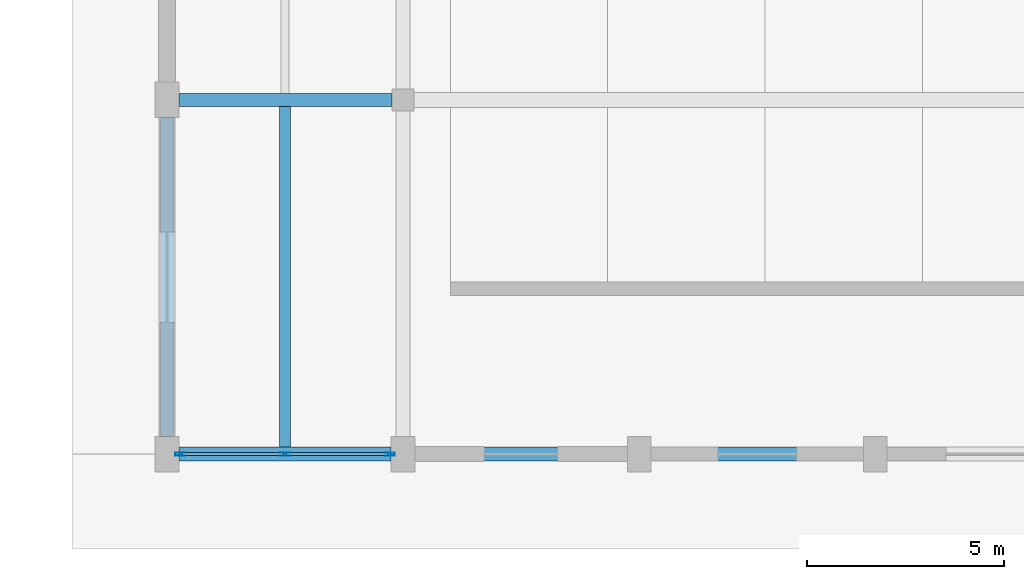
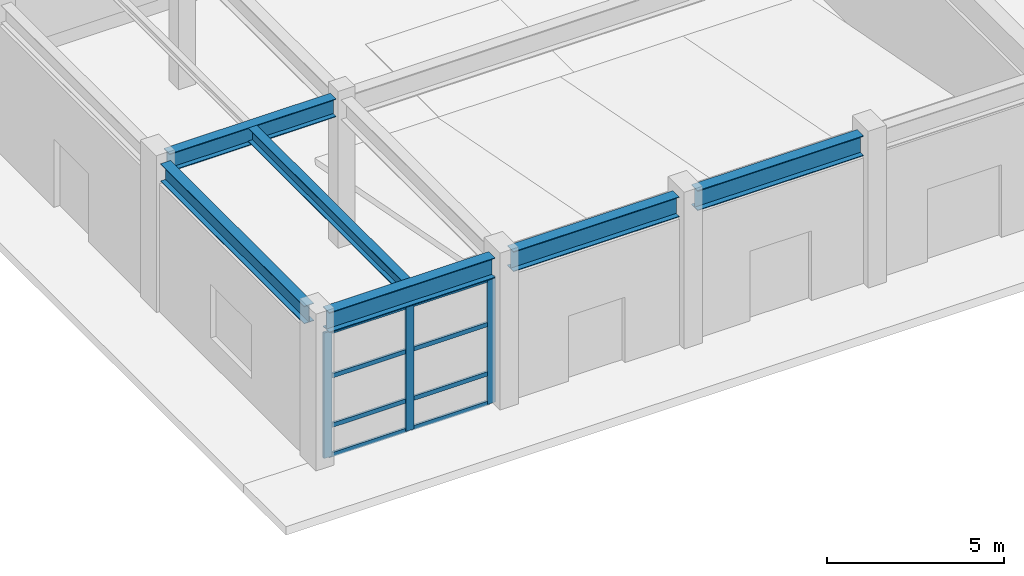
# One storey, part 7 of 91: 11 members, 6 beams, 1 element without a shape of its own.
"""IFC4 building model written with IfcOpenShell, lengths in metres."""

from ifc_helpers import new_model, si_unit, direction, frame, origin, origin_2d, place, context, subcontext, project, spatial, hollow_rectangle, i_section, extrude, material, layer, layer_set, material_profile, profile_set, type_object, element, aggregate, save


model = new_model("IFC4")

# Units and contexts
model_context = context("Model", 3, precision=1e-05, world=origin(), true_north=direction((0.0, 1.0)))
body_context = subcontext(model_context, "Body", "Model", "MODEL_VIEW")
ifc_project = project(units=[si_unit("LENGTHUNIT", "METRE"), si_unit("AREAUNIT", "SQUARE_METRE"), si_unit("VOLUMEUNIT", "CUBIC_METRE"), si_unit("PLANEANGLEUNIT", "RADIAN"), si_unit("MASSUNIT", "GRAM", prefix="KILO")], contexts=[model_context])

# Site, building, storey
site_placement = place(None, origin())
site = spatial("IfcSite", under=ifc_project, at=site_placement, CompositionType="ELEMENT")
building_placement = place(site_placement, origin())
building = spatial("IfcBuilding", under=site, at=building_placement, Name="Vaelkrest Opera House", CompositionType="ELEMENT")
storey_placement = place(building_placement, origin())
storey = spatial("IfcBuildingStorey", under=building, at=storey_placement, Name="L00", CompositionType="ELEMENT", Elevation=0.0)

# Beam
ifc_material_1 = material(Name="Steel A992 Gr50", Category="steel")
ifc_material_profile_1 = material_profile(ifc_material_1, i_section(OverallWidth=0.326904296875, OverallDepth=0.6220703125, WebThickness=0.015380859375, FlangeThickness=0.0244140625, at=origin_2d()), Name="W24X131")
ifc_profile_set_1 = profile_set([ifc_material_profile_1], Name="Steel A992 Gr50")
beam_type_1 = type_object("IfcBeamType", Name="B19", PredefinedType="BEAM", material=ifc_profile_set_1)
beam_1_placement = place(storey_placement, frame((-75.300048828125, -7.800048828125, 4.76904296875), z_axis=(1.0, 0.0, 0.0), x_axis=(0.0, 1.0, 0.0)))
element("IfcBeam", 1, at=beam_1_placement, inside=storey, type_object=beam_type_1, Name="Beam BM-V3-L00-1387", PredefinedType="BEAM", context=body_context, shape_type="SweptSolid", body=[
    extrude(i_section(OverallWidth=0.326904296875, OverallDepth=0.6220703125, WebThickness=0.015380859375, FlangeThickness=0.0244140625, at=origin_2d()), origin(), (0.0, 0.0, 1.0), 5.425048828125),
])

# Curtain wall, members
ifc_material_2 = material(Name="Dark bronze anodized aluminium", Category="aluminium")
ifc_layer = layer(ifc_material_2, 0.25)
ifc_layer_set = layer_set([ifc_layer], Name="Dark bronze anodized aluminium")
curtain_wall_type = type_object("IfcCurtainWallType", Name="CW08", PredefinedType="NOTDEFINED", material=ifc_layer_set)
curtain_wall_placement = place(storey_placement, origin())
curtain_wall = element("IfcCurtainWall", 2, at=curtain_wall_placement, inside=storey, type_object=curtain_wall_type, Name="Curtain wall CW-L00-089", PredefinedType="NOTDEFINED")
ifc_material_profile_2 = material_profile(ifc_material_2, hollow_rectangle(XDim=0.080078125, YDim=0.260009765625, WallThickness=0.0048828125, at=origin_2d()), Name="CWM80X260")
ifc_profile_set_2 = profile_set([ifc_material_profile_2], Name="Dark bronze anodized aluminium")
member_type_1 = type_object("IfcMemberType", Name="CWM04", PredefinedType="MULLION", material=ifc_profile_set_2)
member_1_placement = place(storey_placement, frame((-69.93798828125, -16.800048828125, 0.0), z_axis=(0.0, 0.0, 1.0), x_axis=(0.0, -1.0, 0.0)))
member_1 = element("IfcMember", 3, at=member_1_placement, type_object=member_type_1, Name="CW08 mullion 1", PredefinedType="MULLION", context=body_context, shape_type="SweptSolid", body=[
    extrude(hollow_rectangle(XDim=0.080078125, YDim=0.260009765625, WallThickness=0.0048828125, at=origin_2d()), origin(), (0.0, 0.0, 1.0), 4.320068359375),
])
member_2_placement = place(storey_placement, frame((-72.60009765625, -16.800048828125, 0.0), z_axis=(0.0, 0.0, 1.0), x_axis=(0.0, -1.0, 0.0)))
member_2 = element("IfcMember", 4, at=member_2_placement, type_object=member_type_1, Name="CW08 mullion 2", PredefinedType="MULLION", context=body_context, shape_type="SweptSolid", body=[
    extrude(hollow_rectangle(XDim=0.080078125, YDim=0.260009765625, WallThickness=0.0048828125, at=origin_2d()), origin(), (0.0, 0.0, 1.0), 4.320068359375),
])
member_3_placement = place(storey_placement, frame((-75.261962890625, -16.800048828125, 0.0), z_axis=(0.0, 0.0, 1.0), x_axis=(0.0, -1.0, 0.0)))
member_3 = element("IfcMember", 5, at=member_3_placement, type_object=member_type_1, Name="CW08 mullion 3", PredefinedType="MULLION", context=body_context, shape_type="SweptSolid", body=[
    extrude(hollow_rectangle(XDim=0.080078125, YDim=0.260009765625, WallThickness=0.0048828125, at=origin_2d()), origin(), (0.0, 0.0, 1.0), 4.320068359375),
])
ifc_material_profile_3 = material_profile(ifc_material_2, hollow_rectangle(XDim=0.070068359375, YDim=0.14990234375, WallThickness=0.004150390625, at=origin_2d()), Name="CWT70X150")
ifc_profile_set_3 = profile_set([ifc_material_profile_3], Name="Dark bronze anodized aluminium")
member_type_2 = type_object("IfcMemberType", Name="CWT02", PredefinedType="USERDEFINED", material=ifc_profile_set_3)
member_4_placement = place(storey_placement, frame((-69.97802734375, -16.800048828125, 0.034912109375), z_axis=(-1.0, 0.0, 0.0), x_axis=(0.0, -1.0, 0.0)))
member_4 = element("IfcMember", 6, at=member_4_placement, type_object=member_type_2, Name="CW08 transom 1.1", ObjectType="TRANSOM", PredefinedType="USERDEFINED", context=body_context, shape_type="SweptSolid", body=[
    extrude(hollow_rectangle(XDim=0.070068359375, YDim=0.14990234375, WallThickness=0.004150390625, at=origin_2d()), origin(), (0.0, 0.0, 1.0), 2.58203125),
])
member_5_placement = place(storey_placement, frame((-69.97802734375, -16.800048828125, 1.050048828125), z_axis=(-1.0, 0.0, 0.0), x_axis=(0.0, -1.0, 0.0)))
member_5 = element("IfcMember", 7, at=member_5_placement, type_object=member_type_2, Name="CW08 transom 1.2", ObjectType="TRANSOM", PredefinedType="USERDEFINED", context=body_context, shape_type="SweptSolid", body=[
    extrude(hollow_rectangle(XDim=0.070068359375, YDim=0.14990234375, WallThickness=0.004150390625, at=origin_2d()), origin(), (0.0, 0.0, 1.0), 2.58203125),
])
member_6_placement = place(storey_placement, frame((-69.97802734375, -16.800048828125, 2.75), z_axis=(-1.0, 0.0, 0.0), x_axis=(0.0, -1.0, 0.0)))
member_6 = element("IfcMember", 8, at=member_6_placement, type_object=member_type_2, Name="CW08 transom 1.3", ObjectType="TRANSOM", PredefinedType="USERDEFINED", context=body_context, shape_type="SweptSolid", body=[
    extrude(hollow_rectangle(XDim=0.070068359375, YDim=0.14990234375, WallThickness=0.004150390625, at=origin_2d()), origin(), (0.0, 0.0, 1.0), 2.58203125),
])
member_7_placement = place(storey_placement, frame((-69.97802734375, -16.800048828125, 4.284912109375), z_axis=(-1.0, 0.0, 0.0), x_axis=(0.0, -1.0, 0.0)))
member_7 = element("IfcMember", 9, at=member_7_placement, type_object=member_type_2, Name="CW08 transom 1.4", ObjectType="TRANSOM", PredefinedType="USERDEFINED", context=body_context, shape_type="SweptSolid", body=[
    extrude(hollow_rectangle(XDim=0.070068359375, YDim=0.14990234375, WallThickness=0.004150390625, at=origin_2d()), origin(), (0.0, 0.0, 1.0), 2.58203125),
])
member_8_placement = place(storey_placement, frame((-72.639892578125, -16.800048828125, 0.034912109375), z_axis=(-1.0, 0.0, 0.0), x_axis=(0.0, -1.0, 0.0)))
member_8 = element("IfcMember", 10, at=member_8_placement, type_object=member_type_2, Name="CW08 transom 2.1", ObjectType="TRANSOM", PredefinedType="USERDEFINED", context=body_context, shape_type="SweptSolid", body=[
    extrude(hollow_rectangle(XDim=0.070068359375, YDim=0.14990234375, WallThickness=0.004150390625, at=origin_2d()), origin(), (0.0, 0.0, 1.0), 2.58203125),
])
member_9_placement = place(storey_placement, frame((-72.639892578125, -16.800048828125, 1.050048828125), z_axis=(-1.0, 0.0, 0.0), x_axis=(0.0, -1.0, 0.0)))
member_9 = element("IfcMember", 11, at=member_9_placement, type_object=member_type_2, Name="CW08 transom 2.2", ObjectType="TRANSOM", PredefinedType="USERDEFINED", context=body_context, shape_type="SweptSolid", body=[
    extrude(hollow_rectangle(XDim=0.070068359375, YDim=0.14990234375, WallThickness=0.004150390625, at=origin_2d()), origin(), (0.0, 0.0, 1.0), 2.58203125),
])
member_10_placement = place(storey_placement, frame((-72.639892578125, -16.800048828125, 2.75), z_axis=(-1.0, 0.0, 0.0), x_axis=(0.0, -1.0, 0.0)))
member_10 = element("IfcMember", 12, at=member_10_placement, type_object=member_type_2, Name="CW08 transom 2.3", ObjectType="TRANSOM", PredefinedType="USERDEFINED", context=body_context, shape_type="SweptSolid", body=[
    extrude(hollow_rectangle(XDim=0.070068359375, YDim=0.14990234375, WallThickness=0.004150390625, at=origin_2d()), origin(), (0.0, 0.0, 1.0), 2.58203125),
])
member_11_placement = place(storey_placement, frame((-72.639892578125, -16.800048828125, 4.284912109375), z_axis=(-1.0, 0.0, 0.0), x_axis=(0.0, -1.0, 0.0)))
member_11 = element("IfcMember", 13, at=member_11_placement, type_object=member_type_2, Name="CW08 transom 2.4", ObjectType="TRANSOM", PredefinedType="USERDEFINED", context=body_context, shape_type="SweptSolid", body=[
    extrude(hollow_rectangle(XDim=0.070068359375, YDim=0.14990234375, WallThickness=0.004150390625, at=origin_2d()), origin(), (0.0, 0.0, 1.0), 2.58203125),
])
aggregate(curtain_wall, [member_1, member_2, member_3, member_4, member_5, member_6, member_7, member_8, member_9, member_10, member_11])

# Beams
ifc_material_profile_4 = material_profile(ifc_material_1, i_section(OverallWidth=0.282958984375, OverallDepth=0.471923828125, WebThickness=0.013671875, FlangeThickness=0.022216796875, at=origin_2d()), Name="W18X97")
ifc_profile_set_4 = profile_set([ifc_material_profile_4], Name="Steel A992 Gr50")
beam_type_2 = type_object("IfcBeamType", Name="J10", PredefinedType="JOIST", material=ifc_profile_set_4)
beam_2_placement = place(storey_placement, frame((-72.60009765625, -16.62255859375, 4.843994140625), z_axis=(0.0, 1.0, 0.0), x_axis=(-1.0, 0.0, 0.0)))
element("IfcBeam", 14, at=beam_2_placement, inside=storey, type_object=beam_type_2, Name="Floor joist JST-V3-L00-1480", PredefinedType="JOIST", context=body_context, shape_type="SweptSolid", body=[
    extrude(i_section(OverallWidth=0.282958984375, OverallDepth=0.471923828125, WebThickness=0.013671875, FlangeThickness=0.022216796875, at=origin_2d()), origin(), (0.0, 0.0, 1.0), 8.6591796875),
])
ifc_material_profile_5 = material_profile(ifc_material_1, i_section(OverallWidth=0.323974609375, OverallDepth=0.611083984375, WebThickness=0.0126953125, FlangeThickness=0.01904296875, at=origin_2d()), Name="W24X104")
ifc_profile_set_5 = profile_set([ifc_material_profile_5], Name="Steel A992 Gr50")
beam_type_3 = type_object("IfcBeamType", Name="SP01", PredefinedType="SPANDREL", material=ifc_profile_set_5)
beam_3_placement = place(storey_placement, frame((-75.60009765625, -16.35009765625, 4.7744140625), z_axis=(0.0, 1.0, 0.0), x_axis=(-1.0, 0.0, 0.0)))
element("IfcBeam", 15, at=beam_3_placement, inside=storey, type_object=beam_type_3, Name="Beam BM-V3-L00-1430", PredefinedType="SPANDREL", context=body_context, shape_type="SweptSolid", body=[
    extrude(i_section(OverallWidth=0.323974609375, OverallDepth=0.611083984375, WebThickness=0.0126953125, FlangeThickness=0.01904296875, at=origin_2d()), origin(), (0.0, 0.0, 1.0), 8.10009765625),
])
ifc_material_profile_6 = material_profile(ifc_material_1, i_section(OverallWidth=0.35498046875, OverallDepth=0.695068359375, WebThickness=0.015380859375, FlangeThickness=0.02490234375, at=origin_2d()), Name="W27X146")
ifc_profile_set_6 = profile_set([ifc_material_profile_6], Name="Steel A992 Gr50")
beam_type_4 = type_object("IfcBeamType", Name="SP02", PredefinedType="SPANDREL", material=ifc_profile_set_6)
for number, where, z_axis, x_axis, name in (
    (16, (-75.300048828125, -16.800048828125, 4.732421875), (1.0, 0.0, 0.0), (0.0, 1.0, 0.0), "Beam BM-V3-L00-1380"),
    (17, (-69.300048828125, -16.800048828125, 4.732421875), (1.0, 0.0, 0.0), (0.0, 1.0, 0.0), "Beam BM-V3-L00-1381"),
    (18, (-63.300048828125, -16.800048828125, 4.732421875), (1.0, 0.0, 0.0), (0.0, 1.0, 0.0), "Beam BM-V3-L00-1382"),
):
    element("IfcBeam", number, at=place(storey_placement, frame(where, z_axis=z_axis, x_axis=x_axis)), inside=storey, type_object=beam_type_4, Name=name, PredefinedType="SPANDREL", context=body_context, shape_type="SweptSolid", body=[
        extrude(i_section(OverallWidth=0.35498046875, OverallDepth=0.695068359375, WebThickness=0.015380859375, FlangeThickness=0.02490234375, at=origin_2d()), origin(), (0.0, 0.0, 1.0), 5.400146484375),
    ])

save(model, "model.ifc")
